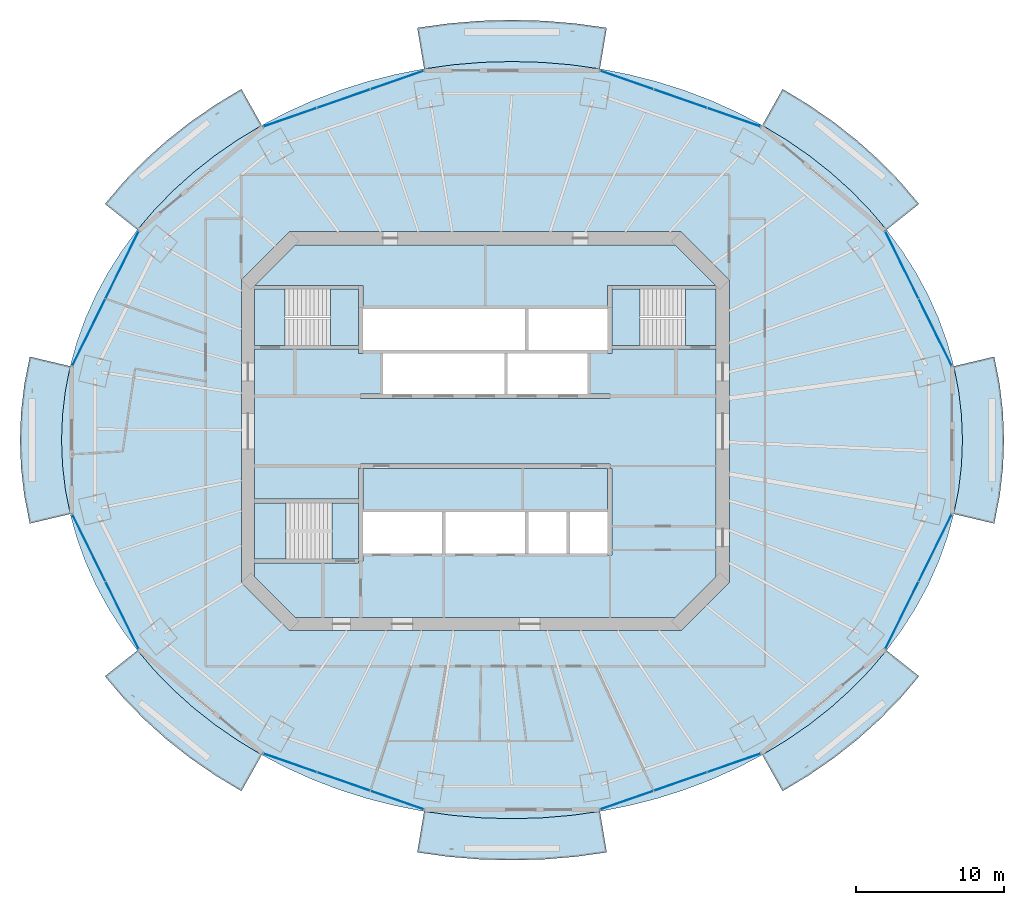
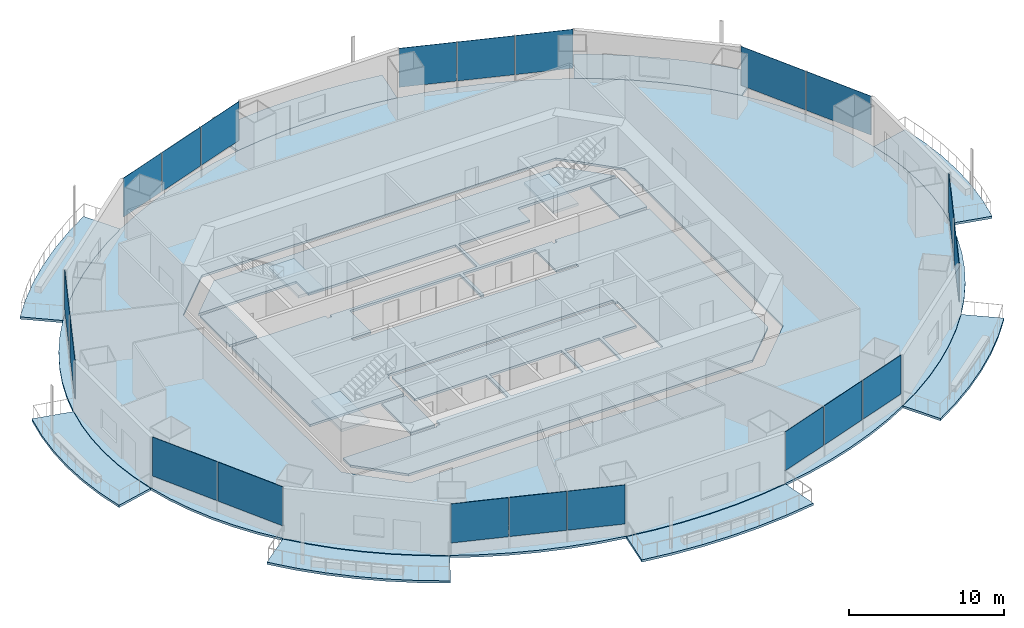
# One storey, part 9 of 19: 20 plates, 16 slabs, 11 elements without a shape of their own.
"""IFC4 building model written with IfcOpenShell, lengths in metres."""

from ifc_helpers import new_model, si_unit, direction, frame, origin, origin_2d, place, context, subcontext, project, spatial, polyline, rectangle, outline, extrude, material, layer, layer_set, type_object, element, aggregate, save


model = new_model("IFC4")

# Units and contexts
model_context = context("Model", 3, precision=1e-05, world=origin(), true_north=direction((0.0, 1.0)))
body_context = subcontext(model_context, "Body", "Model", "MODEL_VIEW")
ifc_project = project(units=[si_unit("LENGTHUNIT", "METRE"), si_unit("AREAUNIT", "SQUARE_METRE"), si_unit("VOLUMEUNIT", "CUBIC_METRE"), si_unit("PLANEANGLEUNIT", "RADIAN"), si_unit("MASSUNIT", "GRAM", prefix="KILO")], contexts=[model_context])

# Site, building, storey
site_placement = place(None, origin())
site = spatial("IfcSite", under=ifc_project, at=site_placement, CompositionType="ELEMENT")
building_placement = place(site_placement, origin())
building = spatial("IfcBuilding", under=site, at=building_placement, Name="Marenthal Gate Tower", CompositionType="ELEMENT")
storey_placement = place(building_placement, frame((0.0, 0.0, 244.050048828125)))
storey = spatial("IfcBuildingStorey", under=building, at=storey_placement, Name="L54", CompositionType="ELEMENT", Elevation=244.050048828125)

# Slabs
ifc_material_1 = material(Name="Concrete 40 MPa", Category="concrete")
ifc_layer_1 = layer(ifc_material_1, 0.179931640625)
ifc_layer_set_1 = layer_set([ifc_layer_1], Name="Balcony deck 180")
slab_type_1 = type_object("IfcSlabType", Name="Balcony deck 180", PredefinedType="USERDEFINED", material=ifc_layer_set_1)
slab_1_placement = place(storey_placement, frame((0.0, 0.0, -0.219970703125)))
element("IfcSlab", 1, at=slab_1_placement, inside=storey, type_object=slab_type_1, Name="Balcony deck L54 bay 2", ObjectType="BALCONY", PredefinedType="USERDEFINED", context=body_context, shape_type="SweptSolid", body=[
    extrude(outline(polyline([(27.047607421875, 13.57763671875), (25.89013671875, 14.93505859375), (24.629638671875, 16.225830078125), (23.271240234375, 17.444580078125), (21.821044921875, 18.586181640625), (20.284912109375, 19.6455078125), (18.669921875, 20.618408203125), (20.040771484375, 23.059814453125), (21.802490234375, 21.998779296875), (23.482177734375, 20.840087890625), (25.07275390625, 19.588134765625), (26.56689453125, 18.247314453125), (27.9580078125, 16.822998046875), (29.2392578125, 15.320068359375), (27.047607421875, 13.57763671875)])), origin(), (0.0, 0.0, 1.0), 0.179931640625),
])
slab_2_placement = place(storey_placement, frame((0.0, 0.0, -0.219970703125)))
element("IfcSlab", 2, at=slab_2_placement, inside=storey, type_object=slab_type_1, Name="Balcony deck L54 bay 4", ObjectType="BALCONY", PredefinedType="USERDEFINED", context=body_context, shape_type="SweptSolid", body=[
    extrude(outline(polyline([(7.723876953125, 24.4287109375), (5.763427734375, 24.70068359375), (3.785888671875, 24.864501953125), (1.800048828125, 24.9189453125), (-0.18603515625, 24.864501953125), (-2.163330078125, 24.70068359375), (-4.123779296875, 24.4287109375), (-4.58544921875, 27.1904296875), (-2.471435546875, 27.483642578125), (-0.340087890625, 27.66015625), (1.800048828125, 27.718994140625), (3.93994140625, 27.66015625), (6.0712890625, 27.483642578125), (8.185546875, 27.1904296875), (7.723876953125, 24.4287109375)])), origin(), (0.0, 0.0, 1.0), 0.179931640625),
])
slab_3_placement = place(storey_placement, frame((0.0, 0.0, -0.219970703125)))
element("IfcSlab", 3, at=slab_3_placement, inside=storey, type_object=slab_type_1, Name="Balcony deck L54 bay 6", ObjectType="BALCONY", PredefinedType="USERDEFINED", context=body_context, shape_type="SweptSolid", body=[
    extrude(outline(polyline([(-15.06982421875, 20.618408203125), (-16.68505859375, 19.6455078125), (-18.220947265625, 18.586181640625), (-19.67138671875, 17.444580078125), (-21.029541015625, 16.225830078125), (-22.290283203125, 14.93505859375), (-23.447509765625, 13.57763671875), (-25.639404296875, 15.320068359375), (-24.35791015625, 16.822998046875), (-22.966796875, 18.247314453125), (-21.47265625, 19.588134765625), (-19.88232421875, 20.840087890625), (-18.202392578125, 21.998779296875), (-16.44091796875, 23.059814453125), (-15.06982421875, 20.618408203125)])), origin(), (0.0, 0.0, 1.0), 0.179931640625),
])
slab_4_placement = place(storey_placement, frame((0.0, 0.0, -0.219970703125)))
element("IfcSlab", 4, at=slab_4_placement, inside=storey, type_object=slab_type_1, Name="Balcony deck L54 bay 8", ObjectType="BALCONY", PredefinedType="USERDEFINED", context=body_context, shape_type="SweptSolid", body=[
    extrude(outline(polyline([(-27.9814453125, 4.37841796875), (-28.30517578125, 2.73095703125), (-28.5, 1.069091796875), (-28.56494140625, -0.60009765625), (-28.5, -2.26904296875), (-28.30517578125, -3.930908203125), (-27.9814453125, -5.57861328125), (-30.706298828125, -6.223388671875), (-31.071533203125, -4.3642578125), (-31.29150390625, -2.48681640625), (-31.364990234375, -0.60009765625), (-31.29150390625, 1.28662109375), (-31.071533203125, 3.164306640625), (-30.706298828125, 5.0234375), (-27.9814453125, 4.37841796875)])), origin(), (0.0, 0.0, 1.0), 0.179931640625),
])
slab_5_placement = place(storey_placement, frame((0.0, 0.0, -0.219970703125)))
element("IfcSlab", 5, at=slab_5_placement, inside=storey, type_object=slab_type_1, Name="Balcony deck L54 bay 10", ObjectType="BALCONY", PredefinedType="USERDEFINED", context=body_context, shape_type="SweptSolid", body=[
    extrude(outline(polyline([(-23.447509765625, -14.777587890625), (-22.290283203125, -16.135009765625), (-21.029541015625, -17.42578125), (-19.67138671875, -18.644775390625), (-18.220947265625, -19.7861328125), (-16.68505859375, -20.845703125), (-15.06982421875, -21.818359375), (-16.44091796875, -24.259765625), (-18.202392578125, -23.19873046875), (-19.88232421875, -22.040283203125), (-21.47265625, -20.788330078125), (-22.966796875, -19.447509765625), (-24.35791015625, -18.02294921875), (-25.639404296875, -16.52001953125), (-23.447509765625, -14.777587890625)])), origin(), (0.0, 0.0, 1.0), 0.179931640625),
])
slab_6_placement = place(storey_placement, frame((0.0, 0.0, -0.219970703125)))
element("IfcSlab", 6, at=slab_6_placement, inside=storey, type_object=slab_type_1, Name="Balcony deck L54 bay 12", ObjectType="BALCONY", PredefinedType="USERDEFINED", context=body_context, shape_type="SweptSolid", body=[
    extrude(outline(polyline([(-4.123779296875, -25.628662109375), (-2.163330078125, -25.900634765625), (-0.18603515625, -26.064453125), (1.800048828125, -26.118896484375), (3.785888671875, -26.064453125), (5.763427734375, -25.900634765625), (7.723876953125, -25.628662109375), (8.185546875, -28.390380859375), (6.0712890625, -28.683837890625), (3.93994140625, -28.860107421875), (1.800048828125, -28.9189453125), (-0.340087890625, -28.860107421875), (-2.471435546875, -28.683837890625), (-4.58544921875, -28.390380859375), (-4.123779296875, -25.628662109375)])), origin(), (0.0, 0.0, 1.0), 0.179931640625),
])
slab_7_placement = place(storey_placement, frame((0.0, 0.0, -0.219970703125)))
element("IfcSlab", 7, at=slab_7_placement, inside=storey, type_object=slab_type_1, Name="Balcony deck L54 bay 14", ObjectType="BALCONY", PredefinedType="USERDEFINED", context=body_context, shape_type="SweptSolid", body=[
    extrude(outline(polyline([(18.669921875, -21.818359375), (20.284912109375, -20.845703125), (21.821044921875, -19.7861328125), (23.271240234375, -18.644775390625), (24.629638671875, -17.42578125), (25.89013671875, -16.135009765625), (27.047607421875, -14.777587890625), (29.2392578125, -16.52001953125), (27.9580078125, -18.02294921875), (26.56689453125, -19.447509765625), (25.07275390625, -20.788330078125), (23.482177734375, -22.040283203125), (21.802490234375, -23.19873046875), (20.040771484375, -24.259765625), (18.669921875, -21.818359375)])), origin(), (0.0, 0.0, 1.0), 0.179931640625),
])
slab_8_placement = place(storey_placement, frame((0.0, 0.0, -0.219970703125)))
element("IfcSlab", 8, at=slab_8_placement, inside=storey, type_object=slab_type_1, Name="Balcony deck L54 bay 16", ObjectType="BALCONY", PredefinedType="USERDEFINED", context=body_context, shape_type="SweptSolid", body=[
    extrude(outline(polyline([(31.58154296875, -5.57861328125), (31.9052734375, -3.930908203125), (32.10009765625, -2.26904296875), (32.1650390625, -0.60009765625), (32.10009765625, 1.069091796875), (31.9052734375, 2.73095703125), (31.58154296875, 4.37841796875), (34.30615234375, 5.0234375), (34.67138671875, 3.164306640625), (34.8916015625, 1.28662109375), (34.965087890625, -0.60009765625), (34.8916015625, -2.48681640625), (34.67138671875, -4.3642578125), (34.30615234375, -6.223388671875), (31.58154296875, -5.57861328125)])), origin(), (0.0, 0.0, 1.0), 0.179931640625),
])
ifc_material_2 = material(Name="Concrete 50 MPa", Category="concrete")
ifc_layer_2 = layer(ifc_material_2, 0.179931640625)
ifc_layer_set_2 = layer_set([ifc_layer_2], Name="Core floor slab 180")
slab_type_2 = type_object("IfcSlabType", Name="Core floor slab 180", PredefinedType="FLOOR", material=ifc_layer_set_2)
slab_9_placement = place(storey_placement, frame((0.0, 0.0, -0.179931640625)))
element("IfcSlab", 9, at=slab_9_placement, inside=storey, type_object=slab_type_2, Name="Core floor L54", PredefinedType="FLOOR", context=body_context, shape_type="SweptSolid", body=[
    extrude(outline(polyline([(12.813720703125, -12.550048828125), (-12.813720703125, -12.550048828125), (-15.550048828125, -9.813720703125), (-15.550048828125, -8.875), (-8.550048828125, -8.875), (-8.550048828125, -8.75), (-8.25, -8.75), (-8.25, -8.239990234375), (-5.60009765625, -8.239990234375), (-2.909912109375, -8.239990234375), (-2.909912109375, -5.4599609375), (-5.60009765625, -5.4599609375), (-8.25, -5.4599609375), (-8.25, -2.5), (8.25, -2.5), (8.25, -5.4599609375), (5.7099609375, -5.4599609375), (5.7099609375, -8.239990234375), (8.25, -8.239990234375), (8.25, -8.35009765625), (8.550048828125, -8.35009765625), (8.550048828125, -2.5), (8.39990234375, -2.5), (8.39990234375, -2.199951171875), (-8.39990234375, -2.199951171875), (-8.39990234375, -2.5), (-8.550048828125, -2.5), (-8.550048828125, -4.574951171875), (-15.550048828125, -4.574951171875), (-15.550048828125, 5.52490234375), (-8.550048828125, 5.52490234375), (-8.550048828125, 5.239990234375), (-8.25, 5.239990234375), (-8.25, 5.4599609375), (-5.60009765625, 5.4599609375), (-2.800048828125, 5.4599609375), (0.0, 5.4599609375), (2.68994140625, 5.4599609375), (2.68994140625, 8.239990234375), (0.0, 8.239990234375), (-2.800048828125, 8.239990234375), (-5.60009765625, 8.239990234375), (-8.25, 8.239990234375), (-8.25, 8.35009765625), (-8.25, 9.824951171875), (-8.550048828125, 9.824951171875), (-15.53857421875, 9.824951171875), (-12.813720703125, 12.550048828125), (12.813720703125, 12.550048828125), (15.53857421875, 9.824951171875), (8.550048828125, 9.824951171875), (8.25, 9.824951171875), (8.25, 8.35009765625), (8.25, 8.239990234375), (5.60009765625, 8.239990234375), (2.909912109375, 8.239990234375), (2.909912109375, 5.4599609375), (5.60009765625, 5.4599609375), (8.25, 5.4599609375), (8.25, 5.239990234375), (8.550048828125, 5.239990234375), (8.550048828125, 5.52490234375), (15.550048828125, 5.52490234375), (15.550048828125, -9.813720703125), (12.813720703125, -12.550048828125)]), holes=[polyline([(2.68994140625, -8.239990234375), (2.68994140625, -5.4599609375), (0.0, -5.4599609375), (-2.68994140625, -5.4599609375), (-2.68994140625, -8.239990234375), (0.0, -8.239990234375), (2.68994140625, -8.239990234375)]), polyline([(-6.889892578125, 5.239990234375), (-6.889892578125, 2.5), (-8.39990234375, 2.5), (-8.39990234375, 2.199951171875), (8.39990234375, 2.199951171875), (8.39990234375, 2.5), (6.889892578125, 2.5), (6.889892578125, 5.239990234375), (4.199951171875, 5.239990234375), (1.510009765625, 5.239990234375), (1.510009765625, 2.5), (1.2900390625, 2.5), (1.2900390625, 5.239990234375), (-1.39990234375, 5.239990234375), (-4.199951171875, 5.239990234375), (-6.889892578125, 5.239990234375)]), polyline([(5.489990234375, -8.239990234375), (5.489990234375, -5.4599609375), (2.909912109375, -5.4599609375), (2.909912109375, -8.239990234375), (5.489990234375, -8.239990234375)])]), origin(), (0.0, 0.0, 1.0), 0.179931640625),
])
slab_10_placement = place(storey_placement, frame((0.0, 0.0, -0.179931640625)))
element("IfcSlab", 10, at=slab_10_placement, inside=storey, type_object=slab_type_2, Name="Core floor L54", PredefinedType="FLOOR", context=body_context, shape_type="SweptSolid", body=[
    extrude(outline(polyline([(15.550048828125, 5.77490234375), (13.5, 5.77490234375), (13.5, 9.574951171875), (15.550048828125, 9.574951171875), (15.550048828125, 5.77490234375)])), origin(), (0.0, 0.0, 1.0), 0.179931640625),
])
slab_11_placement = place(storey_placement, frame((0.0, 0.0, -0.179931640625)))
element("IfcSlab", 11, at=slab_11_placement, inside=storey, type_object=slab_type_2, Name="Core floor L54", PredefinedType="FLOOR", context=body_context, shape_type="SweptSolid", body=[
    extrude(outline(polyline([(-15.550048828125, 9.574951171875), (-13.5, 9.574951171875), (-13.5, 5.77490234375), (-15.550048828125, 5.77490234375), (-15.550048828125, 9.574951171875)])), origin(), (0.0, 0.0, 1.0), 0.179931640625),
])
slab_12_placement = place(storey_placement, frame((0.0, 0.0, -0.179931640625)))
element("IfcSlab", 12, at=slab_12_placement, inside=storey, type_object=slab_type_2, Name="Core floor L54", PredefinedType="FLOOR", context=body_context, shape_type="SweptSolid", body=[
    extrude(outline(polyline([(-8.550048828125, -8.625), (-10.35009765625, -8.625), (-10.35009765625, -4.824951171875), (-8.550048828125, -4.824951171875), (-8.550048828125, -8.625)])), origin(), (0.0, 0.0, 1.0), 0.179931640625),
])
ifc_material_3 = material(Name="Concrete 35 MPa", Category="concrete")
ifc_layer_3 = layer(ifc_material_3, 0.179931640625)
ifc_layer_set_3 = layer_set([ifc_layer_3], Name="Floor slab 180")
slab_type_3 = type_object("IfcSlabType", Name="Floor slab 180", PredefinedType="FLOOR", material=ifc_layer_set_3)
slab_13_placement = place(storey_placement, frame((0.0, 0.0, -0.179931640625)))
element("IfcSlab", 13, at=slab_13_placement, inside=storey, type_object=slab_type_3, Name="SL-L54-01", PredefinedType="FLOOR", context=body_context, shape_type="SweptSolid", body=[
    extrude(outline(polyline([(32.1650390625, -0.60009765625), (32.10009765625, 1.069091796875), (31.9052734375, 2.73095703125), (31.58154296875, 4.37841796875), (31.13037109375, 6.0048828125), (30.553466796875, 7.602783203125), (29.853515625, 9.165771484375), (29.033447265625, 10.686767578125), (28.096923828125, 12.159423828125), (27.047607421875, 13.57763671875), (25.89013671875, 14.93505859375), (24.629638671875, 16.225830078125), (23.271240234375, 17.444580078125), (21.821044921875, 18.586181640625), (20.284912109375, 19.6455078125), (18.669921875, 20.618408203125), (16.982421875, 21.5), (15.22998046875, 22.287353515625), (13.420166015625, 22.9765625), (11.560546875, 23.564697265625), (9.658935546875, 24.049560546875), (7.723876953125, 24.4287109375), (5.763427734375, 24.70068359375), (3.785888671875, 24.864501953125), (1.800048828125, 24.9189453125), (-0.18603515625, 24.864501953125), (-2.163330078125, 24.70068359375), (-4.123779296875, 24.4287109375), (-6.05908203125, 24.049560546875), (-7.96044921875, 23.564697265625), (-9.8203125, 22.9765625), (-11.630126953125, 22.287353515625), (-13.382568359375, 21.5), (-15.06982421875, 20.618408203125), (-16.68505859375, 19.6455078125), (-18.220947265625, 18.586181640625), (-19.67138671875, 17.444580078125), (-21.029541015625, 16.225830078125), (-22.290283203125, 14.93505859375), (-23.447509765625, 13.57763671875), (-24.496826171875, 12.159423828125), (-25.43359375, 10.686767578125), (-26.253662109375, 9.165771484375), (-26.95361328125, 7.602783203125), (-27.5302734375, 6.0048828125), (-27.9814453125, 4.37841796875), (-28.30517578125, 2.73095703125), (-28.5, 1.069091796875), (-28.56494140625, -0.60009765625), (-28.5, -2.26904296875), (-28.30517578125, -3.930908203125), (-27.9814453125, -5.57861328125), (-27.5302734375, -7.204833984375), (-26.95361328125, -8.802734375), (-26.253662109375, -10.36572265625), (-25.43359375, -11.88671875), (-24.496826171875, -13.359619140625), (-23.447509765625, -14.777587890625), (-22.290283203125, -16.135009765625), (-21.029541015625, -17.42578125), (-19.67138671875, -18.644775390625), (-18.220947265625, -19.7861328125), (-16.68505859375, -20.845703125), (-15.06982421875, -21.818359375), (-13.382568359375, -22.7001953125), (-11.630126953125, -23.4873046875), (-9.8203125, -24.176513671875), (-7.96044921875, -24.7646484375), (-6.05908203125, -25.24951171875), (-4.123779296875, -25.628662109375), (-2.163330078125, -25.900634765625), (-0.18603515625, -26.064453125), (1.800048828125, -26.118896484375), (3.785888671875, -26.064453125), (5.763427734375, -25.900634765625), (7.723876953125, -25.628662109375), (9.658935546875, -25.24951171875), (11.560546875, -24.7646484375), (13.420166015625, -24.176513671875), (15.22998046875, -23.4873046875), (16.982421875, -22.7001953125), (18.669921875, -21.818359375), (20.284912109375, -20.845703125), (21.821044921875, -19.7861328125), (23.271240234375, -18.644775390625), (24.629638671875, -17.42578125), (25.89013671875, -16.135009765625), (27.047607421875, -14.777587890625), (28.096923828125, -13.359619140625), (29.033447265625, -11.88671875), (29.853515625, -10.36572265625), (30.553466796875, -8.802734375), (31.13037109375, -7.204833984375), (31.58154296875, -5.57861328125), (31.9052734375, -3.930908203125), (32.10009765625, -2.26904296875), (32.1650390625, -0.60009765625)]), holes=[polyline([(13.186279296875, -13.449951171875), (16.449951171875, -10.186279296875), (16.449951171875, 10.186279296875), (13.186279296875, 13.449951171875), (-13.186279296875, 13.449951171875), (-16.449951171875, 10.186279296875), (-16.449951171875, -10.186279296875), (-13.186279296875, -13.449951171875), (13.186279296875, -13.449951171875)])]), origin(), (0.0, 0.0, 1.0), 0.179931640625),
])

# Curtain wall, plates
ifc_material_4 = material(Name="Aluminium and glass", Category="aluminium")
curtain_wall_type = type_object("IfcCurtainWallType", Name="Curtain wall typical mid", PredefinedType="NOTDEFINED", material=ifc_material_4)
curtain_wall_1_placement = place(storey_placement, origin())
curtain_wall_1 = element("IfcCurtainWall", 14, at=curtain_wall_1_placement, inside=storey, type_object=curtain_wall_type, Name="Curtain wall L54 bay 1", PredefinedType="NOTDEFINED")
ifc_material_5 = material(Name="Glass, laminated insulating unit", Category="glass")
ifc_layer_4 = layer(ifc_material_5, 0.030029296875)
ifc_layer_set_4 = layer_set([ifc_layer_4], Name="Glass panel 30 typical mid")
plate_type = type_object("IfcPlateType", Name="Glass panel 30 typical mid", PredefinedType="CURTAIN_PANEL", material=ifc_layer_set_4)
plate_1_placement = place(storey_placement, frame((30.328125, 6.657470703125, 0.89990234375), z_axis=(0.0, 0.0, 1.0), x_axis=(-0.442364258013, 0.896835471663, 0.0)))
plate_1 = element("IfcPlate", 15, at=plate_1_placement, type_object=plate_type, Name="Glass panel L54 bay 1.1", PredefinedType="CURTAIN_PANEL", context=body_context, shape_type="SweptSolid", body=[
    extrude(rectangle(XDim=5.014404296875, YDim=0.030029296875, at=origin_2d()), origin(), (0.0, 0.0, 1.0), 3.070068359375),
])
plate_2_placement = place(storey_placement, frame((28.08349609375, 11.20849609375, 0.89990234375), z_axis=(0.0, 0.0, 1.0), x_axis=(-0.442364258013, 0.896835471663, 0.0)))
plate_2 = element("IfcPlate", 16, at=plate_2_placement, type_object=plate_type, Name="Glass panel L54 bay 1.2", PredefinedType="CURTAIN_PANEL", context=body_context, shape_type="SweptSolid", body=[
    extrude(rectangle(XDim=5.014404296875, YDim=0.030029296875, at=origin_2d()), origin(), (0.0, 0.0, 1.0), 3.070068359375),
])
aggregate(curtain_wall_1, [plate_1, plate_2])

curtain_wall_2_placement = place(storey_placement, origin())
curtain_wall_2 = element("IfcCurtainWall", 17, at=curtain_wall_2_placement, inside=storey, type_object=curtain_wall_type, Name="Curtain wall L54 bay 3", PredefinedType="NOTDEFINED")
plate_3_placement = place(storey_placement, frame((16.76708984375, 21.1572265625, 0.89990234375), z_axis=(0.0, 0.0, 1.0), x_axis=(-0.944489901241, 0.328540448732, 0.0)))
plate_3 = element("IfcPlate", 18, at=plate_3_placement, type_object=plate_type, Name="Glass panel L54 bay 3.1", PredefinedType="CURTAIN_PANEL", context=body_context, shape_type="SweptSolid", body=[
    extrude(rectangle(XDim=3.767822265625, YDim=0.030029296875, at=origin_2d()), origin(), (0.0, 0.0, 1.0), 3.070068359375),
])
plate_4_placement = place(storey_placement, frame((13.15185546875, 22.414794921875, 0.89990234375), z_axis=(0.0, 0.0, 1.0), x_axis=(-0.944489901241, 0.328540448732, 0.0)))
plate_4 = element("IfcPlate", 19, at=plate_4_placement, type_object=plate_type, Name="Glass panel L54 bay 3.2", PredefinedType="CURTAIN_PANEL", context=body_context, shape_type="SweptSolid", body=[
    extrude(rectangle(XDim=3.767822265625, YDim=0.030029296875, at=origin_2d()), origin(), (0.0, 0.0, 1.0), 3.070068359375),
])
plate_5_placement = place(storey_placement, frame((9.536376953125, 23.67236328125, 0.89990234375), z_axis=(0.0, 0.0, 1.0), x_axis=(-0.944489901241, 0.328540448732, 0.0)))
plate_5 = element("IfcPlate", 20, at=plate_5_placement, type_object=plate_type, Name="Glass panel L54 bay 3.3", PredefinedType="CURTAIN_PANEL", context=body_context, shape_type="SweptSolid", body=[
    extrude(rectangle(XDim=3.767822265625, YDim=0.030029296875, at=origin_2d()), origin(), (0.0, 0.0, 1.0), 3.070068359375),
])
aggregate(curtain_wall_2, [plate_3, plate_4, plate_5])

curtain_wall_3_placement = place(storey_placement, origin())
curtain_wall_3 = element("IfcCurtainWall", 21, at=curtain_wall_3_placement, inside=storey, type_object=curtain_wall_type, Name="Curtain wall L54 bay 5", PredefinedType="NOTDEFINED")
plate_6_placement = place(storey_placement, frame((-5.9365234375, 23.67236328125, 0.89990234375), z_axis=(0.0, 0.0, 1.0), x_axis=(-0.944489901241, -0.328540448732, 0.0)))
plate_6 = element("IfcPlate", 22, at=plate_6_placement, type_object=plate_type, Name="Glass panel L54 bay 5.1", PredefinedType="CURTAIN_PANEL", context=body_context, shape_type="SweptSolid", body=[
    extrude(rectangle(XDim=3.767822265625, YDim=0.030029296875, at=origin_2d()), origin(), (0.0, 0.0, 1.0), 3.070068359375),
])
plate_7_placement = place(storey_placement, frame((-9.5517578125, 22.414794921875, 0.89990234375), z_axis=(0.0, 0.0, 1.0), x_axis=(-0.944489901241, -0.328540448732, 0.0)))
plate_7 = element("IfcPlate", 23, at=plate_7_placement, type_object=plate_type, Name="Glass panel L54 bay 5.2", PredefinedType="CURTAIN_PANEL", context=body_context, shape_type="SweptSolid", body=[
    extrude(rectangle(XDim=3.767822265625, YDim=0.030029296875, at=origin_2d()), origin(), (0.0, 0.0, 1.0), 3.070068359375),
])
plate_8_placement = place(storey_placement, frame((-13.167236328125, 21.1572265625, 0.89990234375), z_axis=(0.0, 0.0, 1.0), x_axis=(-0.944489901241, -0.328540448732, 0.0)))
plate_8 = element("IfcPlate", 24, at=plate_8_placement, type_object=plate_type, Name="Glass panel L54 bay 5.3", PredefinedType="CURTAIN_PANEL", context=body_context, shape_type="SweptSolid", body=[
    extrude(rectangle(XDim=3.767822265625, YDim=0.030029296875, at=origin_2d()), origin(), (0.0, 0.0, 1.0), 3.070068359375),
])
aggregate(curtain_wall_3, [plate_6, plate_7, plate_8])

curtain_wall_4_placement = place(storey_placement, origin())
curtain_wall_4 = element("IfcCurtainWall", 25, at=curtain_wall_4_placement, inside=storey, type_object=curtain_wall_type, Name="Curtain wall L54 bay 7", PredefinedType="NOTDEFINED")
plate_9_placement = place(storey_placement, frame((-24.4833984375, 11.20849609375, 0.89990234375), z_axis=(0.0, 0.0, 1.0), x_axis=(-0.442364258013, -0.896835471663, 0.0)))
plate_9 = element("IfcPlate", 26, at=plate_9_placement, type_object=plate_type, Name="Glass panel L54 bay 7.1", PredefinedType="CURTAIN_PANEL", context=body_context, shape_type="SweptSolid", body=[
    extrude(rectangle(XDim=5.014404296875, YDim=0.030029296875, at=origin_2d()), origin(), (0.0, 0.0, 1.0), 3.070068359375),
])
plate_10_placement = place(storey_placement, frame((-26.728271484375, 6.657470703125, 0.89990234375), z_axis=(0.0, 0.0, 1.0), x_axis=(-0.442364258013, -0.896835471663, 0.0)))
plate_10 = element("IfcPlate", 27, at=plate_10_placement, type_object=plate_type, Name="Glass panel L54 bay 7.2", PredefinedType="CURTAIN_PANEL", context=body_context, shape_type="SweptSolid", body=[
    extrude(rectangle(XDim=5.014404296875, YDim=0.030029296875, at=origin_2d()), origin(), (0.0, 0.0, 1.0), 3.070068359375),
])
aggregate(curtain_wall_4, [plate_9, plate_10])

curtain_wall_5_placement = place(storey_placement, origin())
curtain_wall_5 = element("IfcCurtainWall", 28, at=curtain_wall_5_placement, inside=storey, type_object=curtain_wall_type, Name="Curtain wall L54 bay 9", PredefinedType="NOTDEFINED")
plate_11_placement = place(storey_placement, frame((-26.728271484375, -7.857421875, 0.89990234375), z_axis=(0.0, 0.0, 1.0), x_axis=(0.442364258013, -0.896835471663, 0.0)))
plate_11 = element("IfcPlate", 29, at=plate_11_placement, type_object=plate_type, Name="Glass panel L54 bay 9.1", PredefinedType="CURTAIN_PANEL", context=body_context, shape_type="SweptSolid", body=[
    extrude(rectangle(XDim=5.014404296875, YDim=0.030029296875, at=origin_2d()), origin(), (0.0, 0.0, 1.0), 3.070068359375),
])
plate_12_placement = place(storey_placement, frame((-24.4833984375, -12.408447265625, 0.89990234375), z_axis=(0.0, 0.0, 1.0), x_axis=(0.442364258013, -0.896835471663, 0.0)))
plate_12 = element("IfcPlate", 30, at=plate_12_placement, type_object=plate_type, Name="Glass panel L54 bay 9.2", PredefinedType="CURTAIN_PANEL", context=body_context, shape_type="SweptSolid", body=[
    extrude(rectangle(XDim=5.014404296875, YDim=0.030029296875, at=origin_2d()), origin(), (0.0, 0.0, 1.0), 3.070068359375),
])
aggregate(curtain_wall_5, [plate_11, plate_12])

curtain_wall_6_placement = place(storey_placement, origin())
curtain_wall_6 = element("IfcCurtainWall", 31, at=curtain_wall_6_placement, inside=storey, type_object=curtain_wall_type, Name="Curtain wall L54 bay 11", PredefinedType="NOTDEFINED")
plate_13_placement = place(storey_placement, frame((-13.167236328125, -22.357177734375, 0.89990234375), z_axis=(0.0, 0.0, 1.0), x_axis=(0.944489901241, -0.328540448732, 0.0)))
plate_13 = element("IfcPlate", 32, at=plate_13_placement, type_object=plate_type, Name="Glass panel L54 bay 11.1", PredefinedType="CURTAIN_PANEL", context=body_context, shape_type="SweptSolid", body=[
    extrude(rectangle(XDim=3.767822265625, YDim=0.030029296875, at=origin_2d()), origin(), (0.0, 0.0, 1.0), 3.070068359375),
])
plate_14_placement = place(storey_placement, frame((-9.5517578125, -23.61474609375, 0.89990234375), z_axis=(0.0, 0.0, 1.0), x_axis=(0.944489901241, -0.328540448732, 0.0)))
plate_14 = element("IfcPlate", 33, at=plate_14_placement, type_object=plate_type, Name="Glass panel L54 bay 11.2", PredefinedType="CURTAIN_PANEL", context=body_context, shape_type="SweptSolid", body=[
    extrude(rectangle(XDim=3.767822265625, YDim=0.030029296875, at=origin_2d()), origin(), (0.0, 0.0, 1.0), 3.070068359375),
])
plate_15_placement = place(storey_placement, frame((-5.9365234375, -24.872314453125, 0.89990234375), z_axis=(0.0, 0.0, 1.0), x_axis=(0.944489901241, -0.328540448732, 0.0)))
plate_15 = element("IfcPlate", 34, at=plate_15_placement, type_object=plate_type, Name="Glass panel L54 bay 11.3", PredefinedType="CURTAIN_PANEL", context=body_context, shape_type="SweptSolid", body=[
    extrude(rectangle(XDim=3.767822265625, YDim=0.030029296875, at=origin_2d()), origin(), (0.0, 0.0, 1.0), 3.070068359375),
])
aggregate(curtain_wall_6, [plate_13, plate_14, plate_15])

curtain_wall_7_placement = place(storey_placement, origin())
curtain_wall_7 = element("IfcCurtainWall", 35, at=curtain_wall_7_placement, inside=storey, type_object=curtain_wall_type, Name="Curtain wall L54 bay 13", PredefinedType="NOTDEFINED")
plate_16_placement = place(storey_placement, frame((9.536376953125, -24.872314453125, 0.89990234375), z_axis=(0.0, 0.0, 1.0), x_axis=(0.944489901241, 0.328540448732, 0.0)))
plate_16 = element("IfcPlate", 36, at=plate_16_placement, type_object=plate_type, Name="Glass panel L54 bay 13.1", PredefinedType="CURTAIN_PANEL", context=body_context, shape_type="SweptSolid", body=[
    extrude(rectangle(XDim=3.767822265625, YDim=0.030029296875, at=origin_2d()), origin(), (0.0, 0.0, 1.0), 3.070068359375),
])
plate_17_placement = place(storey_placement, frame((13.15185546875, -23.61474609375, 0.89990234375), z_axis=(0.0, 0.0, 1.0), x_axis=(0.944489901241, 0.328540448732, 0.0)))
plate_17 = element("IfcPlate", 37, at=plate_17_placement, type_object=plate_type, Name="Glass panel L54 bay 13.2", PredefinedType="CURTAIN_PANEL", context=body_context, shape_type="SweptSolid", body=[
    extrude(rectangle(XDim=3.767822265625, YDim=0.030029296875, at=origin_2d()), origin(), (0.0, 0.0, 1.0), 3.070068359375),
])
plate_18_placement = place(storey_placement, frame((16.767333984375, -22.357177734375, 0.89990234375), z_axis=(0.0, 0.0, 1.0), x_axis=(0.944489901241, 0.328540448732, 0.0)))
plate_18 = element("IfcPlate", 38, at=plate_18_placement, type_object=plate_type, Name="Glass panel L54 bay 13.3", PredefinedType="CURTAIN_PANEL", context=body_context, shape_type="SweptSolid", body=[
    extrude(rectangle(XDim=3.767822265625, YDim=0.030029296875, at=origin_2d()), origin(), (0.0, 0.0, 1.0), 3.070068359375),
])
aggregate(curtain_wall_7, [plate_16, plate_17, plate_18])

curtain_wall_8_placement = place(storey_placement, origin())
curtain_wall_8 = element("IfcCurtainWall", 39, at=curtain_wall_8_placement, inside=storey, type_object=curtain_wall_type, Name="Curtain wall L54 bay 15", PredefinedType="NOTDEFINED")
plate_19_placement = place(storey_placement, frame((28.08349609375, -12.408447265625, 0.89990234375), z_axis=(0.0, 0.0, 1.0), x_axis=(0.442364258013, 0.896835471663, 0.0)))
plate_19 = element("IfcPlate", 40, at=plate_19_placement, type_object=plate_type, Name="Glass panel L54 bay 15.1", PredefinedType="CURTAIN_PANEL", context=body_context, shape_type="SweptSolid", body=[
    extrude(rectangle(XDim=5.014404296875, YDim=0.030029296875, at=origin_2d()), origin(), (0.0, 0.0, 1.0), 3.070068359375),
])
plate_20_placement = place(storey_placement, frame((30.328125, -7.857421875, 0.89990234375), z_axis=(0.0, 0.0, 1.0), x_axis=(0.442364258013, 0.896835471663, 0.0)))
plate_20 = element("IfcPlate", 41, at=plate_20_placement, type_object=plate_type, Name="Glass panel L54 bay 15.2", PredefinedType="CURTAIN_PANEL", context=body_context, shape_type="SweptSolid", body=[
    extrude(rectangle(XDim=5.014404296875, YDim=0.030029296875, at=origin_2d()), origin(), (0.0, 0.0, 1.0), 3.070068359375),
])
aggregate(curtain_wall_8, [plate_19, plate_20])

# Stair, slab
ifc_material_6 = material(Name="Concrete 40 MPa", Category="concrete")
stair_type = type_object("IfcStairType", Name="Exit stair 1800", PredefinedType="HALF_TURN_STAIR", material=ifc_material_6)
stair_1_placement = place(storey_placement, origin())
stair_1 = element("IfcStair", 42, at=stair_1_placement, inside=storey, type_object=stair_type, Name="Stair ST1", PredefinedType="HALF_TURN_STAIR")
ifc_material_7 = material(Name="Concrete 40 MPa", Category="concrete")
ifc_layer_5 = layer(ifc_material_7, 0.199951171875)
ifc_layer_set_5 = layer_set([ifc_layer_5], Name="Stair landing 200")
slab_type_4 = type_object("IfcSlabType", Name="Stair landing 200", PredefinedType="LANDING", material=ifc_layer_set_5)
slab_14_placement = place(storey_placement, frame((0.0, 0.0, 1.875)))
slab_14 = element("IfcSlab", 43, at=slab_14_placement, type_object=slab_type_4, Name="ST1 landing 1", PredefinedType="LANDING", context=body_context, shape_type="SweptSolid", body=[
    extrude(outline(polyline([(-10.419921875, 5.77490234375), (-8.550048828125, 5.77490234375), (-8.550048828125, 9.574951171875), (-10.419921875, 9.574951171875), (-10.419921875, 5.77490234375)])), origin(), (0.0, 0.0, 1.0), 0.199951171875),
])
aggregate(stair_1, [slab_14])

stair_2_placement = place(storey_placement, origin())
stair_2 = element("IfcStair", 44, at=stair_2_placement, inside=storey, type_object=stair_type, Name="Stair ST2", PredefinedType="HALF_TURN_STAIR")
slab_15_placement = place(storey_placement, frame((0.0, 0.0, 1.875)))
slab_15 = element("IfcSlab", 45, at=slab_15_placement, type_object=slab_type_4, Name="ST2 landing 1", PredefinedType="LANDING", context=body_context, shape_type="SweptSolid", body=[
    extrude(outline(polyline([(-15.550048828125, -8.625), (-13.429931640625, -8.625), (-13.429931640625, -4.824951171875), (-15.550048828125, -4.824951171875), (-15.550048828125, -8.625)])), origin(), (0.0, 0.0, 1.0), 0.199951171875),
])
aggregate(stair_2, [slab_15])

stair_3_placement = place(storey_placement, origin())
stair_3 = element("IfcStair", 46, at=stair_3_placement, inside=storey, type_object=stair_type, Name="Stair ST3", PredefinedType="HALF_TURN_STAIR")
slab_16_placement = place(storey_placement, frame((0.0, 0.0, 1.875)))
slab_16 = element("IfcSlab", 47, at=slab_16_placement, type_object=slab_type_4, Name="ST3 landing 1", PredefinedType="LANDING", context=body_context, shape_type="SweptSolid", body=[
    extrude(outline(polyline([(8.550048828125, 5.77490234375), (10.419921875, 5.77490234375), (10.419921875, 9.574951171875), (8.550048828125, 9.574951171875), (8.550048828125, 5.77490234375)])), origin(), (0.0, 0.0, 1.0), 0.199951171875),
])
aggregate(stair_3, [slab_16])

save(model, "model.ifc")
